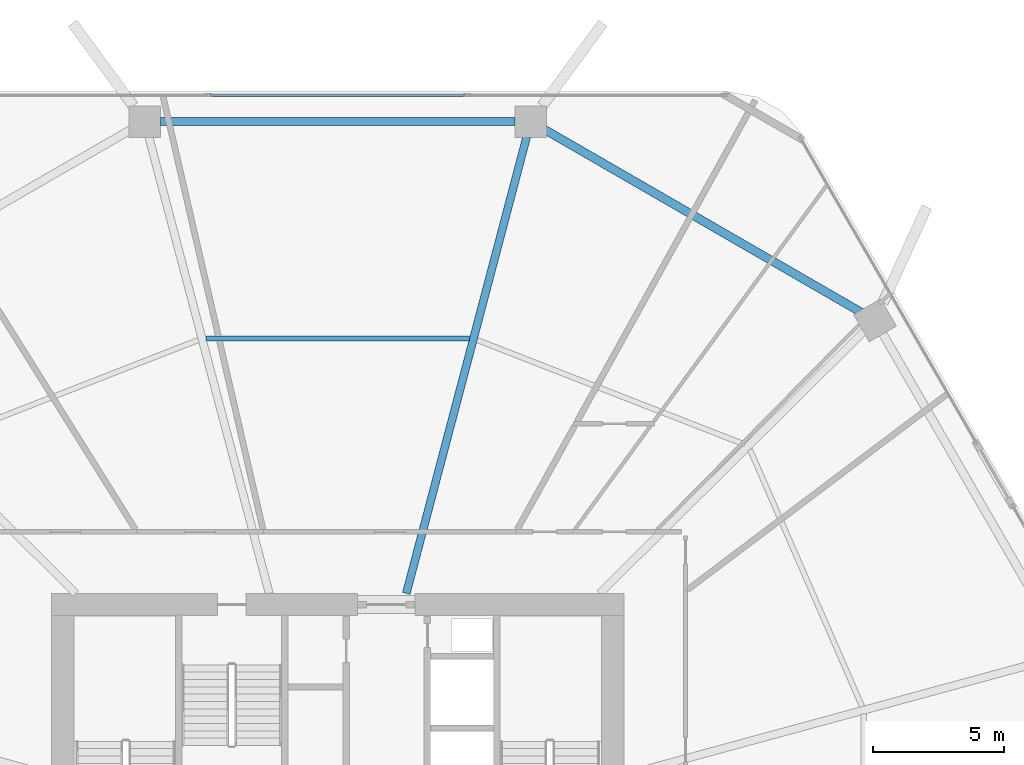
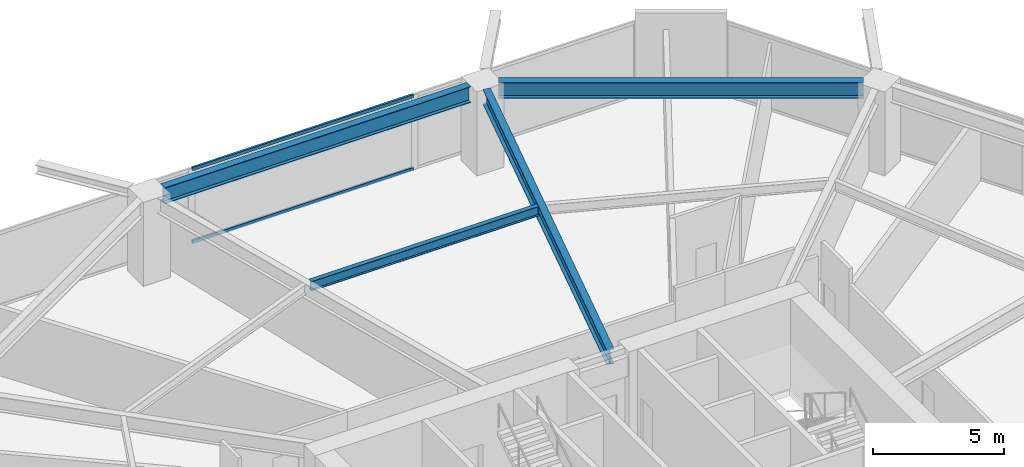
# One storey, part 18 of 25: 4 beams, 2 members, 1 element without a shape of its own.
"""IFC4 building model written with IfcOpenShell, lengths in metres."""

from ifc_helpers import new_model, si_unit, direction, frame, origin, origin_2d, place, context, subcontext, project, spatial, hollow_rectangle, i_section, extrude, material, material_profile, profile_set, type_object, element, aggregate, save


model = new_model("IFC4")

# Units and contexts
model_context = context("Model", 3, precision=1e-05, world=origin(), true_north=direction((0.0, 1.0)))
body_context = subcontext(model_context, "Body", "Model", "MODEL_VIEW")
ifc_project = project(units=[si_unit("LENGTHUNIT", "METRE"), si_unit("AREAUNIT", "SQUARE_METRE"), si_unit("VOLUMEUNIT", "CUBIC_METRE"), si_unit("PLANEANGLEUNIT", "RADIAN"), si_unit("MASSUNIT", "GRAM", prefix="KILO")], contexts=[model_context])

# Site, building, storey
site_placement = place(None, origin())
site = spatial("IfcSite", under=ifc_project, at=site_placement, CompositionType="ELEMENT")
building_placement = place(site_placement, origin())
building = spatial("IfcBuilding", under=site, at=building_placement, Name="Zuhravey Tower", CompositionType="ELEMENT")
storey_placement = place(building_placement, frame((0.0, 0.0, 37.199951171875)))
storey = spatial("IfcBuildingStorey", under=building, at=storey_placement, Name="L09", CompositionType="ELEMENT", Elevation=37.199951171875)

# Curtain wall, members
ifc_material_1 = material(Name="Thermally broken anodised aluminium", Category="aluminium")
curtain_wall_type = type_object("IfcCurtainWallType", Name="School Low-E Unitised Curtain Wall CW1", PredefinedType="NOTDEFINED", material=ifc_material_1)
curtain_wall_placement = place(storey_placement, origin())
curtain_wall = element("IfcCurtainWall", 1, at=curtain_wall_placement, inside=storey, type_object=curtain_wall_type, Name="L09 CW1 CW-L09-F2-1", PredefinedType="NOTDEFINED")
ifc_material_2 = material(Name="Anodised aluminium", Category="aluminium")
ifc_material_profile_1 = material_profile(ifc_material_2, hollow_rectangle(XDim=0.090087890625, YDim=0.14990234375, WallThickness=0.0048828125, at=origin_2d()), Name="ALU-RHS-90x150x5")
ifc_profile_set_1 = profile_set([ifc_material_profile_1], Name="Anodised aluminium")
member_type = type_object("IfcMemberType", Name="Curtain-Wall Transom 90x150", PredefinedType="USERDEFINED", material=ifc_profile_set_1)
member_1_placement = place(storey_placement, frame((31.11181640625, 60.95849609375, 0.045166015625), z_axis=(1.0, 0.0, 0.0), x_axis=(0.0, 1.0, 0.0)))
member_1 = element("IfcMember", 2, at=member_1_placement, type_object=member_type, Name="CW1 transom 2.1", ObjectType="TRANSOM", PredefinedType="USERDEFINED", context=body_context, shape_type="SweptSolid", body=[
    extrude(hollow_rectangle(XDim=0.090087890625, YDim=0.14990234375, WallThickness=0.0048828125, at=origin_2d()), origin(), (0.0, 0.0, 1.0), 9.7763671875),
])
member_2_placement = place(storey_placement, frame((31.11181640625, 60.95849609375, 3.447021484375), z_axis=(1.0, 0.0, 0.0), x_axis=(0.0, 1.0, 0.0)))
member_2 = element("IfcMember", 3, at=member_2_placement, type_object=member_type, Name="CW1 transom 2.2", ObjectType="TRANSOM", PredefinedType="USERDEFINED", context=body_context, shape_type="SweptSolid", body=[
    extrude(hollow_rectangle(XDim=0.090087890625, YDim=0.14990234375, WallThickness=0.0048828125, at=origin_2d()), origin(), (0.0, 0.0, 1.0), 9.7763671875),
])
aggregate(curtain_wall, [member_1, member_2])

# Beams
ifc_material_3 = material(Name="Steel SM355", Category="steel")
ifc_material_profile_2 = material_profile(ifc_material_3, i_section(OverallWidth=0.320068359375, OverallDepth=0.75, WebThickness=0.013916015625, FlangeThickness=0.02490234375, at=origin_2d()), Name="H-750x320x14x25")
ifc_profile_set_2 = profile_set([ifc_material_profile_2], Name="Steel SM355")
beam_type_1 = type_object("IfcBeamType", Name="Perimeter Ring Beam H750x320", PredefinedType="BEAM", material=ifc_profile_set_2)
beam_1_placement = place(storey_placement, frame((55.996826171875, 52.658447265625, 3.545166015625), z_axis=(-0.866029969761, 0.499992091414, 0.0), x_axis=(-0.499992091414, -0.866029969761, 0.0)))
element("IfcBeam", 4, at=beam_1_placement, inside=storey, type_object=beam_type_1, Name="L09 PB1 BM-L09-PB-02", PredefinedType="BEAM", context=body_context, shape_type="SweptSolid", body=[
    extrude(i_section(OverallWidth=0.320068359375, OverallDepth=0.75, WebThickness=0.013916015625, FlangeThickness=0.02490234375, at=origin_2d()), origin(), (0.0, 0.0, 1.0), 13.977294921875),
])
beam_2_placement = place(storey_placement, frame((42.76708984375, 59.948486328125, 3.545166015625), z_axis=(-1.0, 0.0, 0.0), x_axis=(0.0, -1.0, 0.0)))
element("IfcBeam", 5, at=beam_2_placement, inside=storey, type_object=beam_type_1, Name="L09 PB1 BM-L09-PB-03", PredefinedType="BEAM", context=body_context, shape_type="SweptSolid", body=[
    extrude(i_section(OverallWidth=0.320068359375, OverallDepth=0.75, WebThickness=0.013916015625, FlangeThickness=0.02490234375, at=origin_2d()), origin(), (0.0, 0.0, 1.0), 13.5341796875),
])
ifc_material_profile_3 = material_profile(ifc_material_3, i_section(OverallWidth=0.300048828125, OverallDepth=0.699951171875, WebThickness=0.012939453125, FlangeThickness=0.02392578125, at=origin_2d()), Name="H-700x300x13x24")
ifc_profile_set_3 = profile_set([ifc_material_profile_3], Name="Steel SM355")
beam_type_2 = type_object("IfcBeamType", Name="Radial Primary Girder H700x300", PredefinedType="BEAM", material=ifc_profile_set_3)
beam_3_placement = place(storey_placement, frame((38.617919921875, 41.927978515625, 3.570068359375), z_axis=(0.254989720435, 0.966943763862, 0.0), x_axis=(-0.966943763862, 0.254989720435, 0.0)))
element("IfcBeam", 6, at=beam_3_placement, inside=storey, type_object=beam_type_2, Name="L09 RG1 BM-L09-RAD-03", PredefinedType="BEAM", context=body_context, shape_type="SweptSolid", body=[
    extrude(i_section(OverallWidth=0.300048828125, OverallDepth=0.699951171875, WebThickness=0.012939453125, FlangeThickness=0.02392578125, at=origin_2d()), origin(), (0.0, 0.0, 1.0), 18.03369140625),
])
ifc_material_profile_4 = material_profile(ifc_material_3, i_section(OverallWidth=0.199951171875, OverallDepth=0.449951171875, WebThickness=0.009033203125, FlangeThickness=0.013916015625, at=origin_2d()), Name="H-450x200x9x14")
ifc_profile_set_4 = profile_set([ifc_material_profile_4], Name="Steel SM355")
beam_type_3 = type_object("IfcBeamType", Name="Secondary Floor Joist H450x200", PredefinedType="JOIST", material=ifc_profile_set_4)
beam_4_placement = place(storey_placement, frame((41.030029296875, 51.6591796875, 3.695068359375), z_axis=(-1.0, 0.0, 0.0), x_axis=(0.0, -1.0, 0.0)))
element("IfcBeam", 7, at=beam_4_placement, inside=storey, type_object=beam_type_3, Name="L09 SJ1 BM-L09-SJ-03-1", PredefinedType="JOIST", context=body_context, shape_type="SweptSolid", body=[
    extrude(i_section(OverallWidth=0.199951171875, OverallDepth=0.449951171875, WebThickness=0.009033203125, FlangeThickness=0.013916015625, at=origin_2d()), origin(), (0.0, 0.0, 1.0), 10.06005859375),
])

save(model, "model.ifc")
